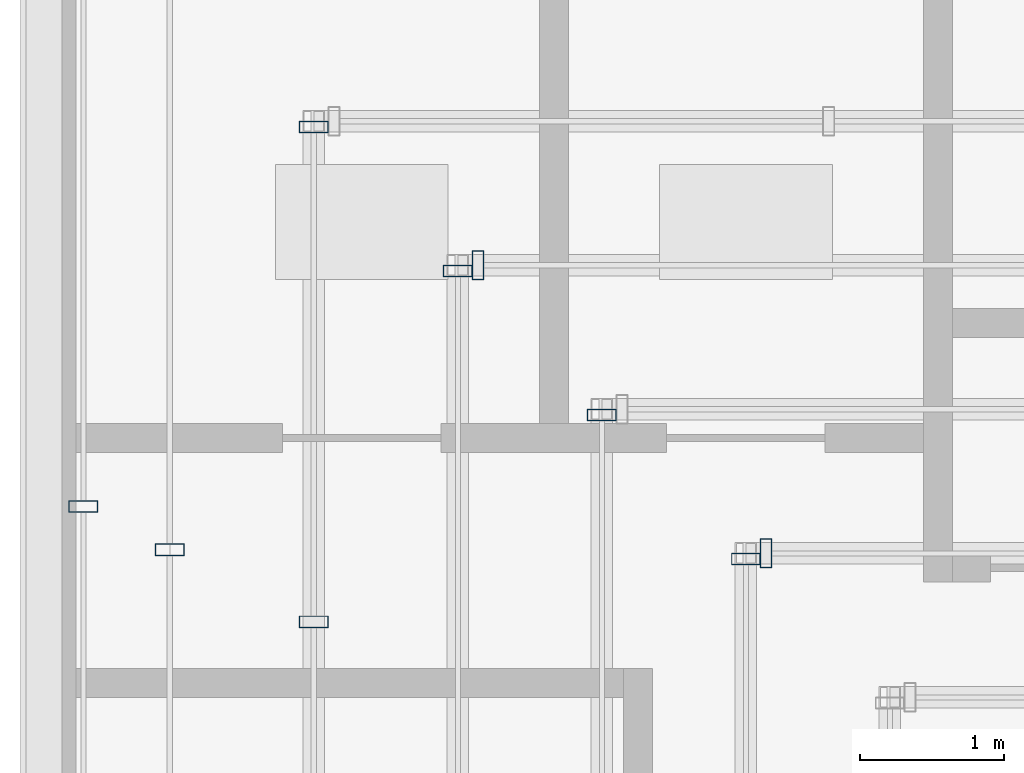
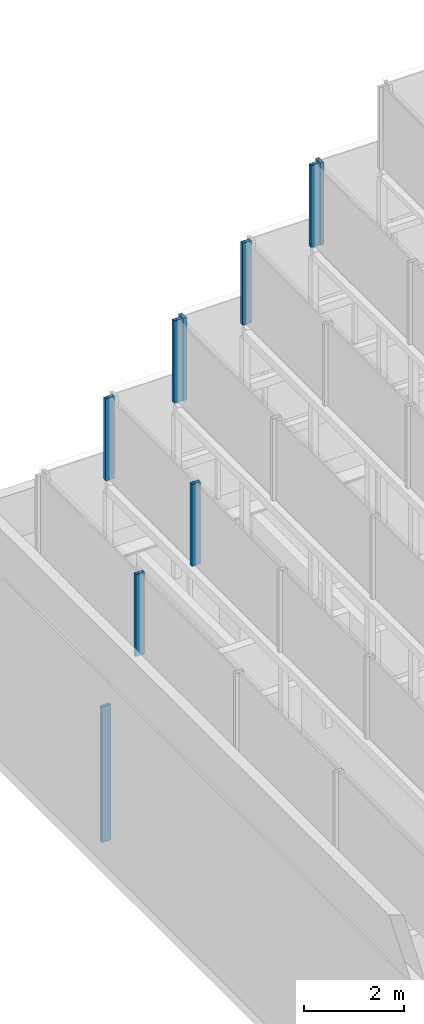
# One storey, part 10 of 24: 9 members, 8 elements without a shape of their own.
"""IFC4 building model written with IfcOpenShell, lengths in metres."""

from ifc_helpers import new_model, si_unit, direction, frame, origin, origin_2d, place, context, subcontext, project, spatial, hollow_rectangle, extrude, material, material_profile, profile_set, type_object, element, aggregate, save


model = new_model("IFC4")

# Units and contexts
model_context = context("Model", 3, precision=1e-05, world=origin(), true_north=direction((0.0, 1.0)))
body_context = subcontext(model_context, "Body", "Model", "MODEL_VIEW")
ifc_project = project(units=[si_unit("LENGTHUNIT", "METRE"), si_unit("AREAUNIT", "SQUARE_METRE"), si_unit("VOLUMEUNIT", "CUBIC_METRE"), si_unit("PLANEANGLEUNIT", "RADIAN"), si_unit("MASSUNIT", "GRAM", prefix="KILO")], contexts=[model_context])

# Site, building, storey
site_placement = place(None, origin())
site = spatial("IfcSite", under=ifc_project, at=site_placement, CompositionType="ELEMENT")
building_placement = place(site_placement, origin())
building = spatial("IfcBuilding", under=site, at=building_placement, Name="Altepetl Exchange Towers", CompositionType="ELEMENT")
storey_placement = place(building_placement, frame((0.0, 0.0, 279.10009765625)))
storey = spatial("IfcBuildingStorey", under=building, at=storey_placement, Name="L70 Crown plant", CompositionType="ELEMENT", Elevation=279.10009765625)

# Curtain wall, member
ifc_material_1 = material(Name="Aluminium 6063-T6 glazing", Category="aluminium")
curtain_wall_type = type_object("IfcCurtainWallType", Name="Crown glazing system", PredefinedType="NOTDEFINED", material=ifc_material_1)
curtain_wall_1_placement = place(storey_placement, origin())
curtain_wall_1 = element("IfcCurtainWall", 1, at=curtain_wall_1_placement, inside=storey, type_object=curtain_wall_type, Name="CW7 run", PredefinedType="NOTDEFINED")
ifc_material_2 = material(Name="Aluminium 6063-T6", Category="aluminium")
ifc_material_profile = material_profile(ifc_material_2, hollow_rectangle(XDim=0.080078125, YDim=0.199951171875, WallThickness=0.0029296875, at=origin_2d()), Name="Mullion 80x200 hollow aluminium")
ifc_profile_set = profile_set([ifc_material_profile], Name="Aluminium 6063-T6")
member_type = type_object("IfcMemberType", Name="Mullion 80x200 hollow aluminium", PredefinedType="MULLION", material=ifc_profile_set)
member_1_placement = place(storey_placement, frame((40.89990234375, 53.824951171875, 0.0), z_axis=(0.0, 0.0, 1.0), x_axis=(0.0, -1.0, 0.0)))
member_1 = element("IfcMember", 2, at=member_1_placement, type_object=member_type, Name="MU5 mullion", PredefinedType="MULLION", context=body_context, shape_type="SweptSolid", body=[
    extrude(hollow_rectangle(XDim=0.080078125, YDim=0.199951171875, WallThickness=0.0029296875, at=origin_2d()), origin(), (0.0, 0.0, 1.0), 3.2998046875),
])
aggregate(curtain_wall_1, [member_1])

curtain_wall_2_placement = place(storey_placement, origin())
curtain_wall_2 = element("IfcCurtainWall", 3, at=curtain_wall_2_placement, inside=storey, type_object=curtain_wall_type, Name="CW7 run", PredefinedType="NOTDEFINED")
member_2_placement = place(storey_placement, frame((41.5, 53.52490234375, 4.5), z_axis=(0.0, 0.0, 1.0), x_axis=(0.0, -1.0, 0.0)))
member_2 = element("IfcMember", 4, at=member_2_placement, type_object=member_type, Name="MU5 mullion", PredefinedType="MULLION", context=body_context, shape_type="SweptSolid", body=[
    extrude(hollow_rectangle(XDim=0.080078125, YDim=0.199951171875, WallThickness=0.0029296875, at=origin_2d()), origin(), (0.0, 0.0, 1.0), 2.0),
])
aggregate(curtain_wall_2, [member_2])

# Curtain wall, members
curtain_wall_3_placement = place(storey_placement, origin())
curtain_wall_3 = element("IfcCurtainWall", 5, at=curtain_wall_3_placement, inside=storey, type_object=curtain_wall_type, Name="CW7 run", PredefinedType="NOTDEFINED")
member_3_placement = place(storey_placement, frame((42.5, 56.4599609375, 6.64990234375), z_axis=(0.0, 0.0, 1.0), x_axis=(0.0, -1.0, 0.0)))
member_3 = element("IfcMember", 6, at=member_3_placement, type_object=member_type, Name="MU5 mullion", PredefinedType="MULLION", context=body_context, shape_type="SweptSolid", body=[
    extrude(hollow_rectangle(XDim=0.080078125, YDim=0.199951171875, WallThickness=0.0029296875, at=origin_2d()), origin(), (0.0, 0.0, 1.0), 2.0),
])
member_4_placement = place(storey_placement, frame((42.5, 53.02490234375, 6.64990234375), z_axis=(0.0, 0.0, 1.0), x_axis=(0.0, -1.0, 0.0)))
member_4 = element("IfcMember", 7, at=member_4_placement, type_object=member_type, Name="MU5 mullion", PredefinedType="MULLION", context=body_context, shape_type="SweptSolid", body=[
    extrude(hollow_rectangle(XDim=0.080078125, YDim=0.199951171875, WallThickness=0.0029296875, at=origin_2d()), origin(), (0.0, 0.0, 1.0), 2.0),
])
aggregate(curtain_wall_3, [member_3, member_4])

# Curtain wall, member
curtain_wall_4_placement = place(storey_placement, origin())
curtain_wall_4 = element("IfcCurtainWall", 8, at=curtain_wall_4_placement, inside=storey, type_object=curtain_wall_type, Name="CW7 run", PredefinedType="NOTDEFINED")
member_5_placement = place(storey_placement, frame((43.639892578125, 55.5, 8.7998046875), z_axis=(0.0, 0.0, 1.0), x_axis=(-1.0, 0.0, 0.0)))
member_5 = element("IfcMember", 9, at=member_5_placement, type_object=member_type, Name="MU5 mullion", PredefinedType="MULLION", context=body_context, shape_type="SweptSolid", body=[
    extrude(hollow_rectangle(XDim=0.080078125, YDim=0.199951171875, WallThickness=0.0029296875, at=origin_2d()), origin(), (0.0, 0.0, 1.0), 2.0),
])
aggregate(curtain_wall_4, [member_5])

curtain_wall_5_placement = place(storey_placement, origin())
curtain_wall_5 = element("IfcCurtainWall", 10, at=curtain_wall_5_placement, inside=storey, type_object=curtain_wall_type, Name="CW7 run", PredefinedType="NOTDEFINED")
member_6_placement = place(storey_placement, frame((43.5, 55.4599609375, 8.7998046875), z_axis=(0.0, 0.0, 1.0), x_axis=(0.0, -1.0, 0.0)))
member_6 = element("IfcMember", 11, at=member_6_placement, type_object=member_type, Name="MU5 mullion", PredefinedType="MULLION", context=body_context, shape_type="SweptSolid", body=[
    extrude(hollow_rectangle(XDim=0.080078125, YDim=0.199951171875, WallThickness=0.0029296875, at=origin_2d()), origin(), (0.0, 0.0, 1.0), 2.0),
])
aggregate(curtain_wall_5, [member_6])

curtain_wall_6_placement = place(storey_placement, origin())
curtain_wall_6 = element("IfcCurtainWall", 12, at=curtain_wall_6_placement, inside=storey, type_object=curtain_wall_type, Name="CW7 run", PredefinedType="NOTDEFINED")
member_7_placement = place(storey_placement, frame((44.5, 54.4599609375, 10.949951171875), z_axis=(0.0, 0.0, 1.0), x_axis=(0.0, -1.0, 0.0)))
member_7 = element("IfcMember", 13, at=member_7_placement, type_object=member_type, Name="MU5 mullion", PredefinedType="MULLION", context=body_context, shape_type="SweptSolid", body=[
    extrude(hollow_rectangle(XDim=0.080078125, YDim=0.199951171875, WallThickness=0.0029296875, at=origin_2d()), origin(), (0.0, 0.0, 1.0), 2.0),
])
aggregate(curtain_wall_6, [member_7])

curtain_wall_7_placement = place(storey_placement, origin())
curtain_wall_7 = element("IfcCurtainWall", 14, at=curtain_wall_7_placement, inside=storey, type_object=curtain_wall_type, Name="CW7 run", PredefinedType="NOTDEFINED")
member_8_placement = place(storey_placement, frame((45.639892578125, 53.5, 13.099853515625), z_axis=(0.0, 0.0, 1.0), x_axis=(-1.0, 0.0, 0.0)))
member_8 = element("IfcMember", 15, at=member_8_placement, type_object=member_type, Name="MU5 mullion", PredefinedType="MULLION", context=body_context, shape_type="SweptSolid", body=[
    extrude(hollow_rectangle(XDim=0.080078125, YDim=0.199951171875, WallThickness=0.0029296875, at=origin_2d()), origin(), (0.0, 0.0, 1.0), 2.0),
])
aggregate(curtain_wall_7, [member_8])

curtain_wall_8_placement = place(storey_placement, origin())
curtain_wall_8 = element("IfcCurtainWall", 16, at=curtain_wall_8_placement, inside=storey, type_object=curtain_wall_type, Name="CW7 run", PredefinedType="NOTDEFINED")
member_9_placement = place(storey_placement, frame((45.5, 53.4599609375, 13.099853515625), z_axis=(0.0, 0.0, 1.0), x_axis=(0.0, -1.0, 0.0)))
member_9 = element("IfcMember", 17, at=member_9_placement, type_object=member_type, Name="MU5 mullion", PredefinedType="MULLION", context=body_context, shape_type="SweptSolid", body=[
    extrude(hollow_rectangle(XDim=0.080078125, YDim=0.199951171875, WallThickness=0.0029296875, at=origin_2d()), origin(), (0.0, 0.0, 1.0), 2.0),
])
aggregate(curtain_wall_8, [member_9])

save(model, "model.ifc")
